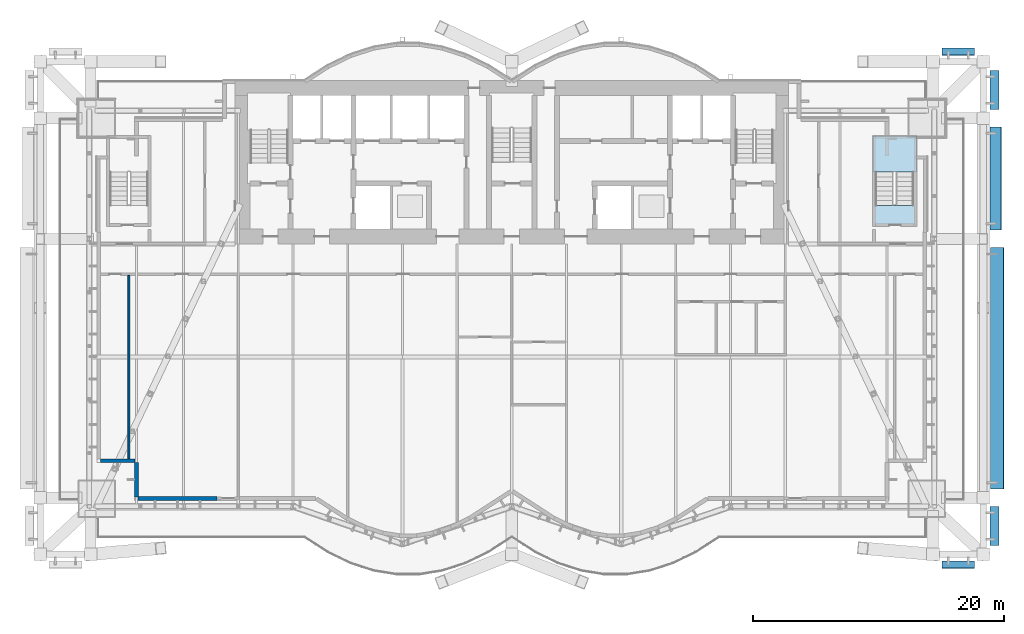
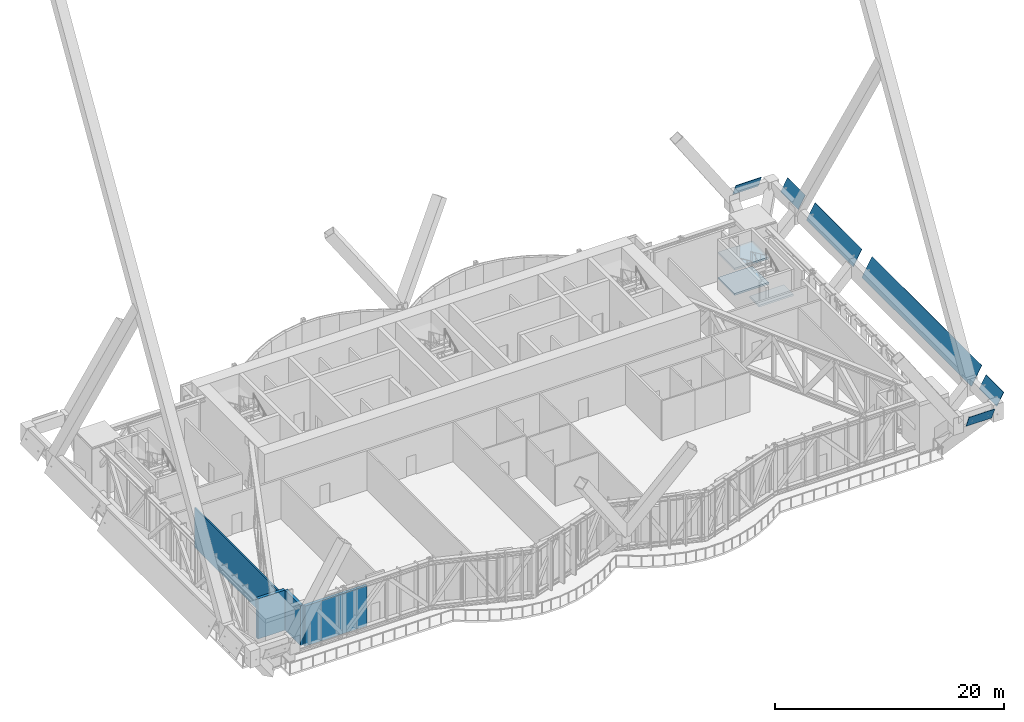
# One storey, part 23 of 32: 6 plates, 4 walls, 3 slabs, 1 element without a shape of its own.
"""IFC4 building model written with IfcOpenShell, lengths in metres."""

from ifc_helpers import new_model, si_unit, direction, frame, frame_2d, origin, place, context, subcontext, project, spatial, polyline, rectangle, outline, extrude, material, layer, layer_set, layer_usage, type_object, element, aggregate, save


model = new_model("IFC4")

# Units and contexts
model_context = context("Model", 3, precision=1e-05, world=origin(), true_north=direction((0.0, 1.0)))
body_context = subcontext(model_context, "Body", "Model", "MODEL_VIEW")
ifc_project = project(units=[si_unit("LENGTHUNIT", "METRE"), si_unit("AREAUNIT", "SQUARE_METRE"), si_unit("VOLUMEUNIT", "CUBIC_METRE"), si_unit("PLANEANGLEUNIT", "RADIAN"), si_unit("MASSUNIT", "GRAM", prefix="KILO")], contexts=[model_context])

# Site, building, storey
site_placement = place(None, origin())
site = spatial("IfcSite", under=ifc_project, at=site_placement, CompositionType="ELEMENT")
building_placement = place(site_placement, origin())
building = spatial("IfcBuilding", under=site, at=building_placement, Name="Bicima Exchange Tower", CompositionType="ELEMENT")
storey_placement = place(building_placement, frame((0.0, 0.0, 135.0)))
storey = spatial("IfcBuildingStorey", under=building, at=storey_placement, Name="L29", CompositionType="ELEMENT", Elevation=135.0)

# Plates
ifc_material_1 = material(Name="Dark tinted spandrel glass", Category="glass")
ifc_layer_1 = layer(ifc_material_1, 0.0400390625)
ifc_layer_set_1 = layer_set([ifc_layer_1], Name="Dark tinted spandrel glass")
plate_type = type_object("IfcPlateType", Name="Belt fascia glass panel 40", PredefinedType="SHEET", material=ifc_layer_set_1)
plate_1_placement = place(storey_placement, frame((34.199951171875, -38.214599609375, 4.050048828125), z_axis=(0.0, 0.919715682457, 0.39258510344), x_axis=(1.0, 0.0, 0.0)))
element("IfcPlate", 1, at=plate_1_placement, inside=storey, type_object=plate_type, Name="Belt fascia glass panel", PredefinedType="SHEET", context=body_context, shape_type="SweptSolid", body=[
    extrude(outline(polyline([(0.0, 0.0), (2.60009765625, 0.0), (2.60009765625, -1.3917663048388182), (0.0, -1.3917663048388182), (0.0, 0.0)])), origin(), (0.0, 0.0, -1.0), 0.0400390625),
])
plate_2_placement = place(storey_placement, frame((38.030029296875, -36.984619140625, 4.050048828125), z_axis=(-0.876685030348, 0.0, 0.481064816386), x_axis=(0.0, 1.0, 0.0)))
element("IfcPlate", 2, at=plate_2_placement, inside=storey, type_object=plate_type, Name="Belt fascia glass panel", PredefinedType="SHEET", context=body_context, shape_type="SweptSolid", body=[
    extrude(outline(polyline([(0.0, 0.0), (3.099853515625, 0.0), (3.099853515625, -1.460078879603219), (0.0, -1.460078879603219), (0.0, 0.0)])), origin(), (0.0, 0.0, -1.0), 0.0400390625),
])
plate_3_placement = place(storey_placement, frame((38.080078125, -32.484619140625, 3.449951171875), z_axis=(-0.876674581874, 0.0, 0.481083857031), x_axis=(0.0, 1.0, 0.0)))
element("IfcPlate", 3, at=plate_3_placement, inside=storey, type_object=plate_type, Name="Belt fascia glass panel", PredefinedType="SHEET", context=body_context, shape_type="SweptSolid", body=[
    extrude(outline(polyline([(0.0, 0.0), (19.1845703125, 0.0), (19.1845703125, -2.1446121422914213), (0.0, -2.1446121422914213), (0.0, 0.0)])), origin(), (0.0, 0.0, -1.0), 0.0400390625),
])
plate_4_placement = place(storey_placement, frame((38.030029296875, -11.89990234375, 3.75), z_axis=(-0.876650248979, 0.0, 0.481128195978), x_axis=(0.0, 1.0, 0.0)))
element("IfcPlate", 4, at=plate_4_placement, inside=storey, type_object=plate_type, Name="Belt fascia glass panel", PredefinedType="SHEET", context=body_context, shape_type="SweptSolid", body=[
    extrude(outline(polyline([(0.0, 0.0), (8.199951171875, 0.0), (8.199951171875, -1.8024042391372048), (0.0, -1.8024042391372048), (0.0, 0.0)])), origin(), (0.0, 0.0, -1.0), 0.0400390625),
])
plate_5_placement = place(storey_placement, frame((38.030029296875, -2.300048828125, 4.050048828125), z_axis=(-0.876685030348, 0.0, 0.481064816386), x_axis=(0.0, 1.0, 0.0)))
element("IfcPlate", 5, at=plate_5_placement, inside=storey, type_object=plate_type, Name="Belt fascia glass panel", PredefinedType="SHEET", context=body_context, shape_type="SweptSolid", body=[
    extrude(outline(polyline([(0.0, 0.0), (3.10009765625, 0.0), (3.10009765625, -1.4600788796032191), (0.0, -1.4600788796032191), (0.0, 0.0)])), origin(), (0.0, 0.0, -1.0), 0.0400390625),
])
plate_6_placement = place(storey_placement, frame((36.800048828125, 2.576416015625, 4.050048828125), z_axis=(0.0, 0.919715682457, 0.39258510344), x_axis=(-1.0, 0.0, 0.0)))
element("IfcPlate", 6, at=plate_6_placement, inside=storey, type_object=plate_type, Name="Belt fascia glass panel", PredefinedType="SHEET", context=body_context, shape_type="SweptSolid", body=[
    extrude(outline(polyline([(0.0, 0.0), (2.60009765625, 0.0), (2.60009765625, 1.3917663048388182), (0.0, 1.3917663048388182), (0.0, 0.0)])), origin(), (0.0, 0.0, -1.0), 0.0400390625),
])

# Stair, slabs
ifc_material_2 = material(Name="Concrete C50/60", Category="concrete")
stair_type = type_object("IfcStairType", Name="Exit stair", PredefinedType="HALF_TURN_STAIR", material=ifc_material_2)
stair_placement = place(storey_placement, origin())
stair = element("IfcStair", 7, at=stair_placement, inside=storey, type_object=stair_type, Name="L29 East end exit stair", PredefinedType="HALF_TURN_STAIR")
ifc_layer_2 = layer(ifc_material_2, 0.199951171875)
ifc_layer_set_2 = layer_set([ifc_layer_2], Name="Concrete C50/60")
slab_type = type_object("IfcSlabType", Name="Stair landing slab", PredefinedType="LANDING", material=ifc_layer_set_2)
slab_1_placement = place(storey_placement, frame((0.0, 0.0, 1.14990234375)))
slab_1 = element("IfcSlab", 8, at=slab_1_placement, type_object=slab_type, Name="ST-EE landing 1", PredefinedType="LANDING", context=body_context, shape_type="SweptSolid", body=[
    extrude(outline(polyline([(32.175048828125, -7.294921875), (32.175048828125, -4.425048828125), (28.72509765625, -4.425048828125), (28.72509765625, -7.294921875), (32.175048828125, -7.294921875)])), origin(), (0.0, 0.0, 1.0), 0.2001953125),
])
slab_2_placement = place(storey_placement, frame((0.0, 0.0, 2.5)))
slab_2 = element("IfcSlab", 9, at=slab_2_placement, type_object=slab_type, Name="ST-EE landing 2", PredefinedType="LANDING", context=body_context, shape_type="SweptSolid", body=[
    extrude(outline(polyline([(32.175048828125, -11.574951171875), (32.175048828125, -9.925048828125), (28.72509765625, -9.925048828125), (28.72509765625, -11.574951171875), (32.175048828125, -11.574951171875)])), origin(), (0.0, 0.0, 1.0), 0.199951171875),
])
slab_3_placement = place(storey_placement, frame((0.0, 0.0, 3.85009765625)))
slab_3 = element("IfcSlab", 10, at=slab_3_placement, type_object=slab_type, Name="ST-EE landing 3", PredefinedType="LANDING", context=body_context, shape_type="SweptSolid", body=[
    extrude(outline(polyline([(32.175048828125, -7.294921875), (32.175048828125, -4.425048828125), (28.72509765625, -4.425048828125), (28.72509765625, -7.294921875), (32.175048828125, -7.294921875)])), origin(), (0.0, 0.0, 1.0), 0.199951171875),
])
aggregate(stair, [slab_1, slab_2, slab_3])

# Walls
ifc_material_3 = material(Name="Gypsum board partition")
ifc_layer_3 = layer(ifc_material_3, 0.14990234375)
ifc_layer_set_3 = layer_set([ifc_layer_3], Name="Gypsum board partition")
wall_type_1 = type_object("IfcWallType", Name="Gypsum partition 150", PredefinedType="PARTITIONING", material=ifc_layer_set_3)
wall_1_placement = place(storey_placement, frame((-30.449951171875, -30.090087890625, 0.0), z_axis=(0.0, 0.0, 1.0), x_axis=(0.0, 1.0, 0.0)))
element("IfcWall", 11, at=wall_1_placement, inside=storey, type_object=wall_type_1, Name="partition wall 16", PredefinedType="PARTITIONING", context=body_context, shape_type="SweptSolid", body=[
    extrude(rectangle(XDim=14.590087890625, YDim=0.14990234375, at=frame_2d((7.294921875, 0.0))), origin(), (0.0, 0.0, 1.0), 4.239501953125),
])
ifc_material_4 = material(Name="Concrete C40/50", Category="concrete")
ifc_layer_4 = layer(ifc_material_4, 0.3)
ifc_layer_set_4 = layer_set([ifc_layer_4], Name="Concrete C40/50")
ifc_layer_usage = layer_usage(ifc_layer_set_4, "AXIS2", "POSITIVE", -0.15)
wall_type_2 = type_object("IfcWallType", Name="Refuge band wall 300", PredefinedType="STANDARD", material=ifc_layer_set_4)
wall_2_placement = place(storey_placement, frame((-32.72412109375, -30.238037109375, 0.0), z_axis=(0.0, 0.0, 1.0), x_axis=(1.0, 0.0, 0.0)))
element("IfcWall", 12, at=wall_2_placement, inside=storey, type_object=wall_type_2, material=ifc_layer_usage, Name="Refuge band wall L29", PredefinedType="STANDARD", context=body_context, shape_type="SweptSolid", body=[
    extrude(rectangle(XDim=2.748291015625, YDim=0.300048828125, at=frame_2d((1.3740234375, 0.0))), origin(), (0.0, 0.0, 1.0), 4.27978515625),
])
wall_3_placement = place(storey_placement, frame((-29.85009765625, -30.364013671875, 0.0), z_axis=(0.0, 0.0, 1.0), x_axis=(0.0, -1.0, 0.0)))
element("IfcWall", 13, at=wall_3_placement, inside=storey, type_object=wall_type_2, material=ifc_layer_usage, Name="Refuge band wall L29", PredefinedType="STANDARD", context=body_context, shape_type="SweptSolid", body=[
    extrude(rectangle(XDim=2.748046875, YDim=0.300048828125, at=frame_2d((1.3740234375, 0.0))), origin(), (0.0, 0.0, 1.0), 4.27978515625),
])
wall_4_placement = place(storey_placement, frame((-29.72412109375, -33.238037109375, 0.0), z_axis=(0.0, 0.0, 1.0), x_axis=(1.0, 0.0, 0.0)))
element("IfcWall", 14, at=wall_4_placement, inside=storey, type_object=wall_type_2, material=ifc_layer_usage, Name="Refuge band wall L29", PredefinedType="STANDARD", context=body_context, shape_type="SweptSolid", body=[
    extrude(rectangle(XDim=6.274169921875, YDim=0.300048828125, at=frame_2d((3.13720703125, 0.0))), origin(), (0.0, 0.0, 1.0), 4.27978515625),
])

save(model, "model.ifc")
